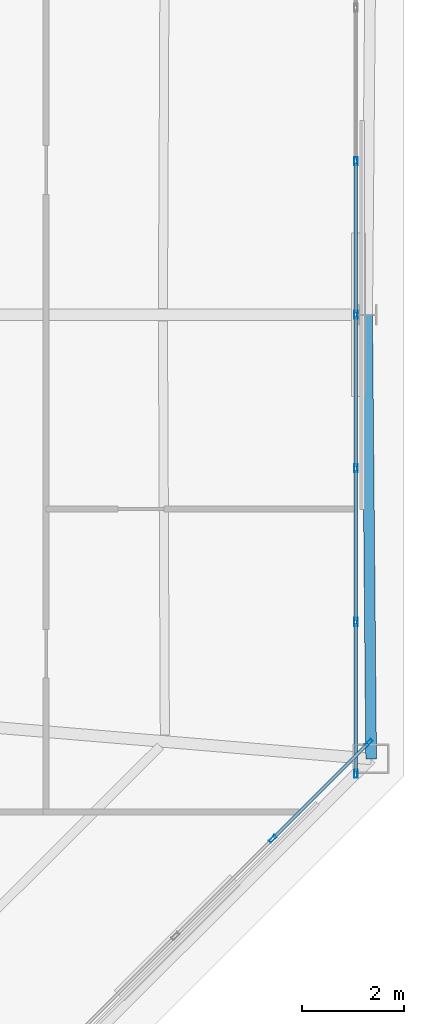
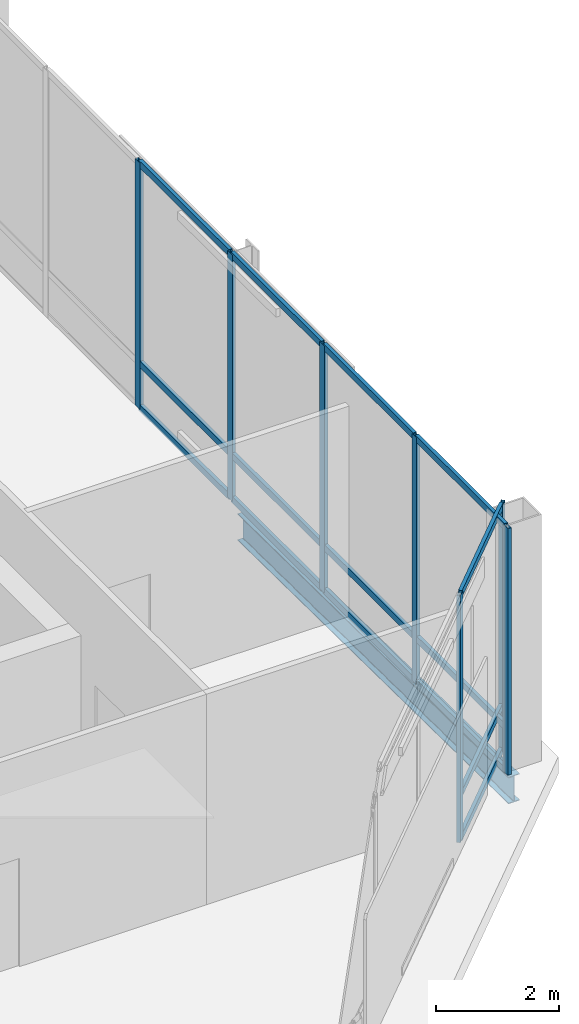
# One storey, part 15 of 21: 22 members, 1 beam, 2 elements without a shape of their own.
"""IFC4 building model written with IfcOpenShell, lengths in metres."""

from ifc_helpers import new_model, si_unit, direction, frame, origin, origin_2d, place, context, subcontext, project, spatial, hollow_rectangle, i_section, extrude, material, layer, layer_set, material_profile, profile_set, type_object, element, aggregate, save


model = new_model("IFC4")

# Units and contexts
model_context = context("Model", 3, precision=1e-05, world=origin(), true_north=direction((0.0, 1.0)))
body_context = subcontext(model_context, "Body", "Model", "MODEL_VIEW")
ifc_project = project(units=[si_unit("LENGTHUNIT", "METRE"), si_unit("AREAUNIT", "SQUARE_METRE"), si_unit("VOLUMEUNIT", "CUBIC_METRE"), si_unit("PLANEANGLEUNIT", "RADIAN"), si_unit("MASSUNIT", "GRAM", prefix="KILO")], contexts=[model_context])

# Site, building, storey
site_placement = place(None, origin())
site = spatial("IfcSite", under=ifc_project, at=site_placement, CompositionType="ELEMENT")
building_placement = place(site_placement, origin())
building = spatial("IfcBuilding", under=site, at=building_placement, Name="Caelvoria Tower", CompositionType="ELEMENT")
storey_placement = place(building_placement, frame((0.0, 0.0, 279.0)))
storey = spatial("IfcBuildingStorey", under=building, at=storey_placement, Name="L74", CompositionType="ELEMENT", Elevation=279.0)

# Curtain wall, members
ifc_material_1 = material(Name="Anodised Bronze Aluminium and Low-E Glass", Category="aluminium")
ifc_layer = layer(ifc_material_1, 0.205078125, Name="Anodised Bronze Aluminium and Low-E Glass")
ifc_layer_set = layer_set([ifc_layer], Name="CW System 5 Observation Panorama Low-Iron Facade - Anodised Bronze Aluminium and Low-E Glass")
curtain_wall_type = type_object("IfcCurtainWallType", Name="CW System 5 Observation Panorama Low-Iron Facade", PredefinedType="NOTDEFINED", material=ifc_layer_set)
curtain_wall_1_placement = place(storey_placement, origin())
curtain_wall_1 = element("IfcCurtainWall", 1, at=curtain_wall_1_placement, inside=storey, type_object=curtain_wall_type, Name="CW-05 Curtain Wall L74-E1", PredefinedType="NOTDEFINED")
ifc_material_2 = material(Name="Anodised Bronze Architectural Aluminium", Category="aluminium")
ifc_material_profile_1 = material_profile(ifc_material_2, hollow_rectangle(XDim=0.06494140625, YDim=0.159912109375, WallThickness=0.00390625, at=origin_2d()), Name="Anodised Bronze Architectural Aluminium")
ifc_profile_set_1 = profile_set([ifc_material_profile_1], Name="CW_MULL_65X160 - Anodised Bronze Architectural Aluminium")
member_type_1 = type_object("IfcMemberType", Name="Curtain Wall Mullion 65x160 Bronze Aluminium", PredefinedType="MULLION", material=ifc_profile_set_1)
member_1_placement = place(storey_placement, frame((61.13525390625, 21.7646484375, 0.0), z_axis=(0.0, 0.0, 1.0), x_axis=(-0.707106781187, 0.707106781187, 0.0)))
member_1 = element("IfcMember", 2, at=member_1_placement, type_object=member_type_1, Name="CW-05 mullion 4", PredefinedType="MULLION", context=body_context, shape_type="SweptSolid", body=[
    extrude(hollow_rectangle(XDim=0.06494140625, YDim=0.159912109375, WallThickness=0.00390625, at=origin_2d()), origin(), (0.0, 0.0, 1.0), 4.89990234375),
])
member_2_placement = place(storey_placement, frame((63.01220703125, 23.6416015625, 0.0), z_axis=(0.0, 0.0, 1.0), x_axis=(-0.707106781187, 0.707106781187, 0.0)))
member_2 = element("IfcMember", 3, at=member_2_placement, type_object=member_type_1, Name="CW-05 mullion 5", PredefinedType="MULLION", context=body_context, shape_type="SweptSolid", body=[
    extrude(hollow_rectangle(XDim=0.06494140625, YDim=0.159912109375, WallThickness=0.00390625, at=origin_2d()), origin(), (0.0, 0.0, 1.0), 4.89990234375),
])

curtain_wall_2_placement = place(storey_placement, origin())
curtain_wall_2 = element("IfcCurtainWall", 4, at=curtain_wall_2_placement, inside=storey, type_object=curtain_wall_type, Name="CW-05 Curtain Wall L74-E2", PredefinedType="NOTDEFINED")
member_3_placement = place(storey_placement, frame((62.760009765625, 23.032470703125, 0.0), z_axis=(0.0, 0.0, 1.0), x_axis=(-1.0, 0.0, 0.0)))
member_3 = element("IfcMember", 5, at=member_3_placement, type_object=member_type_1, Name="CW-05 mullion 1", PredefinedType="MULLION", context=body_context, shape_type="SweptSolid", body=[
    extrude(hollow_rectangle(XDim=0.06494140625, YDim=0.159912109375, WallThickness=0.00390625, at=origin_2d()), origin(), (0.0, 0.0, 1.0), 4.89990234375),
])
member_4_placement = place(storey_placement, frame((62.760009765625, 26.0, 0.0), z_axis=(0.0, 0.0, 1.0), x_axis=(-1.0, 0.0, 0.0)))
member_4 = element("IfcMember", 6, at=member_4_placement, type_object=member_type_1, Name="CW-05 mullion 2", PredefinedType="MULLION", context=body_context, shape_type="SweptSolid", body=[
    extrude(hollow_rectangle(XDim=0.06494140625, YDim=0.159912109375, WallThickness=0.00390625, at=origin_2d()), origin(), (0.0, 0.0, 1.0), 4.89990234375),
])
member_5_placement = place(storey_placement, frame((62.760009765625, 29.0, 0.0), z_axis=(0.0, 0.0, 1.0), x_axis=(-1.0, 0.0, 0.0)))
member_5 = element("IfcMember", 7, at=member_5_placement, type_object=member_type_1, Name="CW-05 mullion 3", PredefinedType="MULLION", context=body_context, shape_type="SweptSolid", body=[
    extrude(hollow_rectangle(XDim=0.06494140625, YDim=0.159912109375, WallThickness=0.00390625, at=origin_2d()), origin(), (0.0, 0.0, 1.0), 4.89990234375),
])
member_6_placement = place(storey_placement, frame((62.760009765625, 32.0, 0.0), z_axis=(0.0, 0.0, 1.0), x_axis=(-1.0, 0.0, 0.0)))
member_6 = element("IfcMember", 8, at=member_6_placement, type_object=member_type_1, Name="CW-05 mullion 4", PredefinedType="MULLION", context=body_context, shape_type="SweptSolid", body=[
    extrude(hollow_rectangle(XDim=0.06494140625, YDim=0.159912109375, WallThickness=0.00390625, at=origin_2d()), origin(), (0.0, 0.0, 1.0), 4.89990234375),
])
member_7_placement = place(storey_placement, frame((62.760009765625, 35.0, 0.0), z_axis=(0.0, 0.0, 1.0), x_axis=(-1.0, 0.0, 0.0)))
member_7 = element("IfcMember", 9, at=member_7_placement, type_object=member_type_1, Name="CW-05 mullion 5", PredefinedType="MULLION", context=body_context, shape_type="SweptSolid", body=[
    extrude(hollow_rectangle(XDim=0.06494140625, YDim=0.159912109375, WallThickness=0.00390625, at=origin_2d()), origin(), (0.0, 0.0, 1.0), 4.89990234375),
])

# Member
ifc_material_profile_2 = material_profile(ifc_material_2, hollow_rectangle(XDim=0.06494140625, YDim=0.1298828125, WallThickness=0.00341796875, at=origin_2d()), Name="Anodised Bronze Architectural Aluminium")
ifc_profile_set_2 = profile_set([ifc_material_profile_2], Name="CW_TRAN_65X130 - Anodised Bronze Architectural Aluminium")
member_type_2 = type_object("IfcMemberType", Name="Curtain Wall Transom 65x130 Bronze Aluminium", PredefinedType="USERDEFINED", material=ifc_profile_set_2)
member_8_placement = place(storey_placement, frame((61.158203125, 21.78759765625, 0.032470703125), z_axis=(0.707106781187, 0.707106781187, 0.0), x_axis=(-0.707106781187, 0.707106781187, 0.0)))
member_8 = element("IfcMember", 10, at=member_8_placement, type_object=member_type_2, Name="CW-05 transom 4.1", ObjectType="TRANSOM", PredefinedType="USERDEFINED", context=body_context, shape_type="SweptSolid", body=[
    extrude(hollow_rectangle(XDim=0.06494140625, YDim=0.1298828125, WallThickness=0.00341796875, at=origin_2d()), origin(), (0.0, 0.0, 1.0), 2.589599609375),
])

member_9_placement = place(storey_placement, frame((61.158203125, 21.78759765625, 0.89990234375), z_axis=(0.707106781187, 0.707106781187, 0.0), x_axis=(-0.707106781187, 0.707106781187, 0.0)))
member_9 = element("IfcMember", 11, at=member_9_placement, type_object=member_type_2, Name="CW-05 transom 4.2", ObjectType="TRANSOM", PredefinedType="USERDEFINED", context=body_context, shape_type="SweptSolid", body=[
    extrude(hollow_rectangle(XDim=0.06494140625, YDim=0.1298828125, WallThickness=0.00341796875, at=origin_2d()), origin(), (0.0, 0.0, 1.0), 2.589599609375),
])

member_10_placement = place(storey_placement, frame((61.158203125, 21.78759765625, 4.867431640625), z_axis=(0.707106781187, 0.707106781187, 0.0), x_axis=(-0.707106781187, 0.707106781187, 0.0)))
member_10 = element("IfcMember", 12, at=member_10_placement, type_object=member_type_2, Name="CW-05 transom 4.3", ObjectType="TRANSOM", PredefinedType="USERDEFINED", context=body_context, shape_type="SweptSolid", body=[
    extrude(hollow_rectangle(XDim=0.06494140625, YDim=0.1298828125, WallThickness=0.00341796875, at=origin_2d()), origin(), (0.0, 0.0, 1.0), 2.589599609375),
])

aggregate(curtain_wall_1, [member_1, member_2, member_8, member_9, member_10])

member_11_placement = place(storey_placement, frame((62.760009765625, 23.06494140625, 0.032470703125), z_axis=(0.0, 1.0, 0.0), x_axis=(-1.0, 0.0, 0.0)))
member_11 = element("IfcMember", 13, at=member_11_placement, type_object=member_type_2, Name="CW-05 transom 1.1", ObjectType="TRANSOM", PredefinedType="USERDEFINED", context=body_context, shape_type="SweptSolid", body=[
    extrude(hollow_rectangle(XDim=0.06494140625, YDim=0.1298828125, WallThickness=0.00341796875, at=origin_2d()), origin(), (0.0, 0.0, 1.0), 2.902587890625),
])

member_12_placement = place(storey_placement, frame((62.760009765625, 23.06494140625, 0.89990234375), z_axis=(0.0, 1.0, 0.0), x_axis=(-1.0, 0.0, 0.0)))
member_12 = element("IfcMember", 14, at=member_12_placement, type_object=member_type_2, Name="CW-05 transom 1.2", ObjectType="TRANSOM", PredefinedType="USERDEFINED", context=body_context, shape_type="SweptSolid", body=[
    extrude(hollow_rectangle(XDim=0.06494140625, YDim=0.1298828125, WallThickness=0.00341796875, at=origin_2d()), origin(), (0.0, 0.0, 1.0), 2.902587890625),
])

member_13_placement = place(storey_placement, frame((62.760009765625, 23.06494140625, 4.867431640625), z_axis=(0.0, 1.0, 0.0), x_axis=(-1.0, 0.0, 0.0)))
member_13 = element("IfcMember", 15, at=member_13_placement, type_object=member_type_2, Name="CW-05 transom 1.3", ObjectType="TRANSOM", PredefinedType="USERDEFINED", context=body_context, shape_type="SweptSolid", body=[
    extrude(hollow_rectangle(XDim=0.06494140625, YDim=0.1298828125, WallThickness=0.00341796875, at=origin_2d()), origin(), (0.0, 0.0, 1.0), 2.902587890625),
])

member_14_placement = place(storey_placement, frame((62.760009765625, 26.032470703125, 0.032470703125), z_axis=(0.0, 1.0, 0.0), x_axis=(-1.0, 0.0, 0.0)))
member_14 = element("IfcMember", 16, at=member_14_placement, type_object=member_type_2, Name="CW-05 transom 2.1", ObjectType="TRANSOM", PredefinedType="USERDEFINED", context=body_context, shape_type="SweptSolid", body=[
    extrude(hollow_rectangle(XDim=0.06494140625, YDim=0.1298828125, WallThickness=0.00341796875, at=origin_2d()), origin(), (0.0, 0.0, 1.0), 2.93505859375),
])

member_15_placement = place(storey_placement, frame((62.760009765625, 26.032470703125, 0.89990234375), z_axis=(0.0, 1.0, 0.0), x_axis=(-1.0, 0.0, 0.0)))
member_15 = element("IfcMember", 17, at=member_15_placement, type_object=member_type_2, Name="CW-05 transom 2.2", ObjectType="TRANSOM", PredefinedType="USERDEFINED", context=body_context, shape_type="SweptSolid", body=[
    extrude(hollow_rectangle(XDim=0.06494140625, YDim=0.1298828125, WallThickness=0.00341796875, at=origin_2d()), origin(), (0.0, 0.0, 1.0), 2.93505859375),
])

member_16_placement = place(storey_placement, frame((62.760009765625, 26.032470703125, 4.867431640625), z_axis=(0.0, 1.0, 0.0), x_axis=(-1.0, 0.0, 0.0)))
member_16 = element("IfcMember", 18, at=member_16_placement, type_object=member_type_2, Name="CW-05 transom 2.3", ObjectType="TRANSOM", PredefinedType="USERDEFINED", context=body_context, shape_type="SweptSolid", body=[
    extrude(hollow_rectangle(XDim=0.06494140625, YDim=0.1298828125, WallThickness=0.00341796875, at=origin_2d()), origin(), (0.0, 0.0, 1.0), 2.93505859375),
])

member_17_placement = place(storey_placement, frame((62.760009765625, 29.032470703125, 0.032470703125), z_axis=(0.0, 1.0, 0.0), x_axis=(-1.0, 0.0, 0.0)))
member_17 = element("IfcMember", 19, at=member_17_placement, type_object=member_type_2, Name="CW-05 transom 3.1", ObjectType="TRANSOM", PredefinedType="USERDEFINED", context=body_context, shape_type="SweptSolid", body=[
    extrude(hollow_rectangle(XDim=0.06494140625, YDim=0.1298828125, WallThickness=0.00341796875, at=origin_2d()), origin(), (0.0, 0.0, 1.0), 2.93505859375),
])

member_18_placement = place(storey_placement, frame((62.760009765625, 29.032470703125, 0.89990234375), z_axis=(0.0, 1.0, 0.0), x_axis=(-1.0, 0.0, 0.0)))
member_18 = element("IfcMember", 20, at=member_18_placement, type_object=member_type_2, Name="CW-05 transom 3.2", ObjectType="TRANSOM", PredefinedType="USERDEFINED", context=body_context, shape_type="SweptSolid", body=[
    extrude(hollow_rectangle(XDim=0.06494140625, YDim=0.1298828125, WallThickness=0.00341796875, at=origin_2d()), origin(), (0.0, 0.0, 1.0), 2.93505859375),
])

member_19_placement = place(storey_placement, frame((62.760009765625, 29.032470703125, 4.867431640625), z_axis=(0.0, 1.0, 0.0), x_axis=(-1.0, 0.0, 0.0)))
member_19 = element("IfcMember", 21, at=member_19_placement, type_object=member_type_2, Name="CW-05 transom 3.3", ObjectType="TRANSOM", PredefinedType="USERDEFINED", context=body_context, shape_type="SweptSolid", body=[
    extrude(hollow_rectangle(XDim=0.06494140625, YDim=0.1298828125, WallThickness=0.00341796875, at=origin_2d()), origin(), (0.0, 0.0, 1.0), 2.93505859375),
])

member_20_placement = place(storey_placement, frame((62.760009765625, 32.032470703125, 0.032470703125), z_axis=(0.0, 1.0, 0.0), x_axis=(-1.0, 0.0, 0.0)))
member_20 = element("IfcMember", 22, at=member_20_placement, type_object=member_type_2, Name="CW-05 transom 4.1", ObjectType="TRANSOM", PredefinedType="USERDEFINED", context=body_context, shape_type="SweptSolid", body=[
    extrude(hollow_rectangle(XDim=0.06494140625, YDim=0.1298828125, WallThickness=0.00341796875, at=origin_2d()), origin(), (0.0, 0.0, 1.0), 2.93505859375),
])

member_21_placement = place(storey_placement, frame((62.760009765625, 32.032470703125, 0.89990234375), z_axis=(0.0, 1.0, 0.0), x_axis=(-1.0, 0.0, 0.0)))
member_21 = element("IfcMember", 23, at=member_21_placement, type_object=member_type_2, Name="CW-05 transom 4.2", ObjectType="TRANSOM", PredefinedType="USERDEFINED", context=body_context, shape_type="SweptSolid", body=[
    extrude(hollow_rectangle(XDim=0.06494140625, YDim=0.1298828125, WallThickness=0.00341796875, at=origin_2d()), origin(), (0.0, 0.0, 1.0), 2.93505859375),
])

member_22_placement = place(storey_placement, frame((62.760009765625, 32.032470703125, 4.867431640625), z_axis=(0.0, 1.0, 0.0), x_axis=(-1.0, 0.0, 0.0)))
member_22 = element("IfcMember", 24, at=member_22_placement, type_object=member_type_2, Name="CW-05 transom 4.3", ObjectType="TRANSOM", PredefinedType="USERDEFINED", context=body_context, shape_type="SweptSolid", body=[
    extrude(hollow_rectangle(XDim=0.06494140625, YDim=0.1298828125, WallThickness=0.00341796875, at=origin_2d()), origin(), (0.0, 0.0, 1.0), 2.93505859375),
])

aggregate(curtain_wall_2, [member_3, member_4, member_5, member_6, member_7, member_11, member_12, member_13, member_14, member_15, member_16, member_17, member_18, member_19, member_20, member_21, member_22])

# Beam
ifc_material_3 = material(Name="Structural Steel ASTM A992 Gr.50", Category="steel")
ifc_material_profile_3 = material_profile(ifc_material_3, i_section(OverallWidth=0.208984375, OverallDepth=0.532958984375, WebThickness=0.01025390625, FlangeThickness=0.015625, FilletRadius=0.01611328125, at=origin_2d()), Name="Structural Steel ASTM A992 Gr.50")
ifc_profile_set_3 = profile_set([ifc_material_profile_3], Name="W530X92 - Structural Steel ASTM A992 Gr.50")
beam_type = type_object("IfcBeamType", Name="Upper Zone Spandrel W530X92", PredefinedType="BEAM", material=ifc_profile_set_3)
beam_placement = place(storey_placement, frame((63.05810546875, 23.326416015625, -0.6064453125), z_axis=(-0.009006868577, 0.999959437337, 0.0), x_axis=(-0.999959437337, -0.009006868577, 0.0)))
element("IfcBeam", 25, at=beam_placement, inside=storey, type_object=beam_type, Name="Perimeter Spandrel Girder L74-03", PredefinedType="BEAM", context=body_context, shape_type="SweptSolid", body=[
    extrude(i_section(OverallWidth=0.208984375, OverallDepth=0.532958984375, WebThickness=0.01025390625, FlangeThickness=0.015625, FilletRadius=0.01611328125, at=origin_2d()), origin(), (0.0, 0.0, 1.0), 8.673828125),
])

save(model, "model.ifc")
